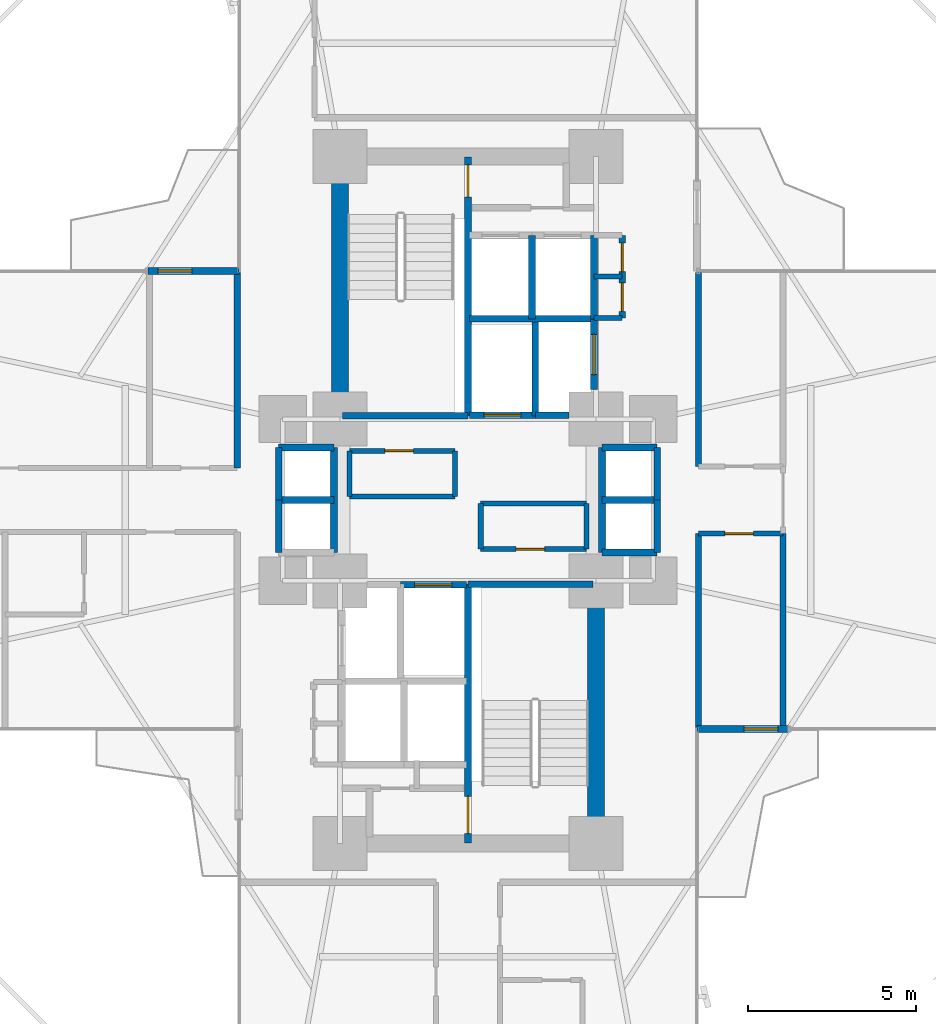
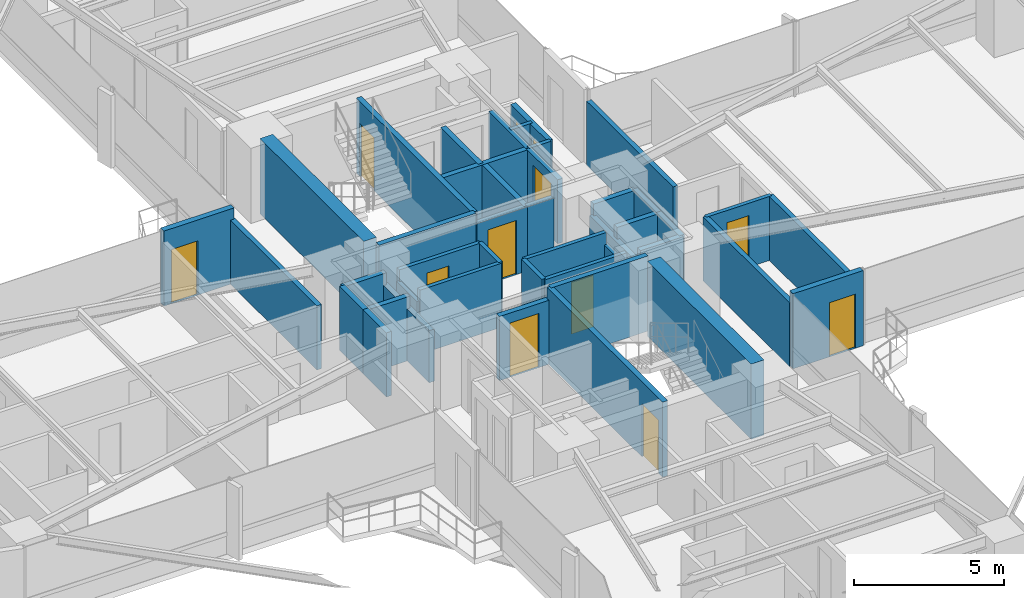
# One storey, part 23 of 26: 43 walls, 12 doors, 12 openings.
"""IFC4 building model written with IfcOpenShell, lengths in metres."""

from ifc_helpers import new_model, si_unit, direction, frame, frame_2d, origin, origin_2d, place, context, subcontext, project, spatial, rectangle, extrude, source, transform, mapped, material, layer, layer_set, type_object, element, fill, save


model = new_model("IFC4")

# Units and contexts
model_context = context("Model", 3, precision=1e-05, world=origin(), true_north=direction((0.0, 1.0)))
body_context = subcontext(model_context, "Body", "Model", "MODEL_VIEW")
ifc_project = project(units=[si_unit("LENGTHUNIT", "METRE"), si_unit("AREAUNIT", "SQUARE_METRE"), si_unit("VOLUMEUNIT", "CUBIC_METRE"), si_unit("PLANEANGLEUNIT", "RADIAN"), si_unit("MASSUNIT", "GRAM", prefix="KILO")], contexts=[model_context])

# Site, building, storey
site_placement = place(None, origin())
site = spatial("IfcSite", under=ifc_project, at=site_placement, CompositionType="ELEMENT")
building_placement = place(site_placement, origin())
building = spatial("IfcBuilding", under=site, at=building_placement, Name="Sahyath Konkavel Grand Hotel", CompositionType="ELEMENT")
storey_placement = place(building_placement, frame((0.0, 0.0, 43.199951171875)))
storey = spatial("IfcBuildingStorey", under=building, at=storey_placement, Name="L11", CompositionType="ELEMENT", Elevation=43.199951171875)

# Walls
ifc_material_1 = material(Name="Concrete C70/85", Category="concrete")
ifc_layer_1 = layer(ifc_material_1, 0.5)
ifc_layer_set_1 = layer_set([ifc_layer_1], Name="Concrete C70/85")
wall_type_1 = type_object("IfcWallType", Name="CWALL-500", PredefinedType="SHEAR", material=ifc_layer_set_1)
for number, where, z_axis, x_axis, name in (
    (1, (-3.800048828125, 2.85009765625, 0.0), (0.0, 0.0, 1.0), (0.0, 1.0, 0.0), "L11 North Core Shear Wall W"),
    (2, (3.800048828125, -9.75, 0.0), (0.0, 0.0, 1.0), (0.0, 1.0, 0.0), "L11 South Core Shear Wall E"),
):
    element("IfcWall", number, at=place(storey_placement, frame(where, z_axis=z_axis, x_axis=x_axis)), inside=storey, type_object=wall_type_1, Name=name, PredefinedType="SHEAR", context=body_context, shape_type="SweptSolid", body=[
        extrude(rectangle(XDim=6.89990234375, YDim=0.5, at=frame_2d((3.449951171875, 0.0))), origin(), (0.0, 0.0, 1.0), 3.050048828125),
    ])

# Wall, opening, door
ifc_material_2 = material(Name="Warm Buff Sandstone Insulated Concrete C40/50", Category="masonry")
ifc_layer_2 = layer(ifc_material_2, 0.219970703125)
ifc_layer_set_2 = layer_set([ifc_layer_2], Name="Warm Buff Sandstone Insulated Concrete C40/50")
wall_type_2 = type_object("IfcWallType", Name="WLL-BALC-THRESH", PredefinedType="STANDARD", material=ifc_layer_set_2)
wall_1_placement = place(storey_placement, frame((6.800048828125, -6.800048828125, 0.0), z_axis=(0.0, 0.0, 1.0), x_axis=(1.0, 0.0, 0.0)))
wall_1 = element("IfcWall", 3, at=wall_1_placement, inside=storey, type_object=wall_type_2, Name="L11 Winter-Garden Threshold Wall 0", PredefinedType="STANDARD", context=body_context, shape_type="SweptSolid", body=[
    extrude(rectangle(XDim=2.699951171875, YDim=0.219970703125, at=frame_2d((1.35009765625, 0.0))), origin(), (0.0, 0.0, 1.0), 3.050048828125),
])
opening_1_placement = place(wall_1_placement, frame((1.39990234375, 0.0, 0.0)))
opening_1 = element("IfcOpeningElement", 4, at=opening_1_placement, cuts=wall_1, Name="Opening D-TR1", PredefinedType="OPENING", context=body_context, shape_type="SweptSolid", body=[
    extrude(rectangle(XDim=1.0, YDim=2.199951171875, at=frame_2d((0.5, 1.10009765625))), frame((0.0, 0.1201171875, 0.0), z_axis=(0.0, -1.0, 0.0), x_axis=(1.0, 0.0, 0.0)), (0.0, 0.0, 1.0), 0.239990234375),
])
ifc_material_3 = material(Name="Anodised Bronze Aluminium & Low-E Glazing", Category="aluminium")
door_type_1 = type_object("IfcDoorType", Name="DR-TERRACE-1000", OperationType="NOTDEFINED", PredefinedType="DOOR", material=ifc_material_3)
shared_shape_1 = source(origin(), body_context, "Body", "SweptSolid", [
    extrude(rectangle(XDim=1.0, YDim=0.050048828125, at=origin_2d()), origin(), (0.0, 0.0, 1.0), 2.199951171875),
])
door_1_placement = place(opening_1_placement, frame((0.5, 0.0, 0.0)))
door_1 = element("IfcDoor", 5, at=door_1_placement, inside=storey, type_object=door_type_1, Name="L11 Winter-Garden Terrace Door 0", OperationType="SINGLE_SWING_LEFT", OverallHeight=2.199951171875, OverallWidth=1.0, PredefinedType="DOOR", context=body_context, shape_type="MappedRepresentation", body=[
    mapped(shared_shape_1, transform((0.0, 0.0, 0.0), scale=1.0)),
])
fill(opening_1, door_1)

wall_2_placement = place(storey_placement, frame((-6.800048828125, 6.800048828125, 0.0), z_axis=(0.0, 0.0, 1.0), x_axis=(-1.0, 0.0, 0.0)))
wall_2 = element("IfcWall", 6, at=wall_2_placement, inside=storey, type_object=wall_type_2, Name="L11 Winter-Garden Threshold Wall 16", PredefinedType="STANDARD", context=body_context, shape_type="SweptSolid", body=[
    extrude(rectangle(XDim=2.699951171875, YDim=0.219970703125, at=frame_2d((1.35009765625, 0.0))), origin(), (0.0, 0.0, 1.0), 3.050048828125),
])
opening_2_placement = place(wall_2_placement, frame((1.39990234375, 0.0, 0.0)))
opening_2 = element("IfcOpeningElement", 7, at=opening_2_placement, cuts=wall_2, Name="Opening D-TR1", PredefinedType="OPENING", context=body_context, shape_type="SweptSolid", body=[
    extrude(rectangle(XDim=1.0, YDim=2.199951171875, at=frame_2d((0.5, 1.10009765625))), frame((0.0, 0.1201171875, 0.0), z_axis=(0.0, -1.0, 0.0), x_axis=(1.0, 0.0, 0.0)), (0.0, 0.0, 1.0), 0.239990234375),
])
door_2_placement = place(opening_2_placement, frame((0.5, 0.0, 0.0)))
door_2 = element("IfcDoor", 8, at=door_2_placement, inside=storey, type_object=door_type_1, Name="L11 Winter-Garden Terrace Door 16", OperationType="SINGLE_SWING_LEFT", OverallHeight=2.199951171875, OverallWidth=1.0, PredefinedType="DOOR", context=body_context, shape_type="MappedRepresentation", body=[
    mapped(shared_shape_1, transform((0.0, 0.0, 0.0), scale=1.0)),
])
fill(opening_2, door_2)

ifc_material_4 = material(Name="Concrete C40/50", Category="concrete")
ifc_layer_3 = layer(ifc_material_4, 0.199951171875)
ifc_layer_set_3 = layer_set([ifc_layer_3], Name="Concrete C40/50")
wall_type_3 = type_object("IfcWallType", Name="WLL-CORE-200", PredefinedType="SOLIDWALL", material=ifc_layer_set_3)
wall_3_placement = place(storey_placement, frame((0.0, 2.5, 0.0), z_axis=(0.0, 0.0, 1.0), x_axis=(0.0, 1.0, 0.0)))
wall_3 = element("IfcWall", 9, at=wall_3_placement, inside=storey, type_object=wall_type_3, Name="L11 Stair ST-1 Shaft Wall E", PredefinedType="SOLIDWALL", context=body_context, shape_type="SweptSolid", body=[
    extrude(rectangle(XDim=7.679931640625, YDim=0.199951171875, at=frame_2d((3.83984375, 0.0))), origin(), (0.0, 0.0, 1.0), 3.050048828125),
])
opening_3_placement = place(wall_3_placement, frame((6.5, 0.0, 0.0)))
opening_3 = element("IfcOpeningElement", 10, at=opening_3_placement, cuts=wall_3, Name="Opening D-F12C", PredefinedType="OPENING", context=body_context, shape_type="SweptSolid", body=[
    extrude(rectangle(XDim=0.949951171875, YDim=2.14990234375, at=frame_2d((0.47509765625, 1.074951171875))), frame((0.0, 0.10986328125, 0.0), z_axis=(0.0, -1.0, 0.0), x_axis=(1.0, 0.0, 0.0)), (0.0, 0.0, 1.0), 0.219970703125),
])
ifc_material_5 = material(Name="Steel E350 Plant Fire Door", Category="steel")
door_type_2 = type_object("IfcDoorType", Name="DR-FD120-950", OperationType="NOTDEFINED", PredefinedType="DOOR", material=ifc_material_5)
shared_shape_2 = source(origin(), body_context, "Body", "SweptSolid", [
    extrude(rectangle(XDim=0.949951171875, YDim=0.050048828125, at=origin_2d()), origin(), (0.0, 0.0, 1.0), 2.14990234375),
])
door_3_placement = place(opening_3_placement, frame((0.47509765625, 0.0, 0.0)))
door_3 = element("IfcDoor", 11, at=door_3_placement, inside=storey, type_object=door_type_2, Name="L11 Stair ST-1 Fire Door", OperationType="SINGLE_SWING_LEFT", OverallHeight=2.14990234375, OverallWidth=0.949951171875, PredefinedType="DOOR", context=body_context, shape_type="MappedRepresentation", body=[
    mapped(shared_shape_2, transform((0.0, 0.0, 0.0), scale=1.0)),
])
fill(opening_3, door_3)

# Wall
wall_4_placement = place(storey_placement, frame((-3.719970703125, 2.5, 0.0), z_axis=(0.0, 0.0, 1.0), x_axis=(1.0, 0.0, 0.0)))
element("IfcWall", 12, at=wall_4_placement, inside=storey, type_object=wall_type_3, Name="L11 Stair ST-1 Shaft Wall S", PredefinedType="SOLIDWALL", context=body_context, shape_type="SweptSolid", body=[
    extrude(rectangle(XDim=3.719970703125, YDim=0.199951171875, at=frame_2d((1.85986328125, 0.0))), origin(), (0.0, 0.0, 1.0), 3.050048828125),
])

# Wall, opening, door
wall_5_placement = place(storey_placement, frame((0.0, -10.179931640625, 0.0), z_axis=(0.0, 0.0, 1.0), x_axis=(0.0, 1.0, 0.0)))
wall_5 = element("IfcWall", 13, at=wall_5_placement, inside=storey, type_object=wall_type_3, Name="L11 Stair ST-2 Shaft Wall W", PredefinedType="SOLIDWALL", context=body_context, shape_type="SweptSolid", body=[
    extrude(rectangle(XDim=7.679931640625, YDim=0.199951171875, at=frame_2d((3.83984375, 0.0))), origin(), (0.0, 0.0, 1.0), 3.050048828125),
])
opening_4_placement = place(wall_5_placement, frame((0.280029296875, 0.0, 0.0)))
opening_4 = element("IfcOpeningElement", 14, at=opening_4_placement, cuts=wall_5, Name="Opening D-F12B", PredefinedType="OPENING", context=body_context, shape_type="SweptSolid", body=[
    extrude(rectangle(XDim=1.10009765625, YDim=2.14990234375, at=frame_2d((0.550048828125, 1.074951171875))), frame((0.0, 0.10986328125, 0.0), z_axis=(0.0, -1.0, 0.0), x_axis=(1.0, 0.0, 0.0)), (0.0, 0.0, 1.0), 0.219970703125),
])
ifc_material_6 = material(Name="Steel E350 Smokeproof Fire Door", Category="steel")
door_type_3 = type_object("IfcDoorType", Name="DR-FD120-1100", OperationType="NOTDEFINED", PredefinedType="DOOR", material=ifc_material_6)
shared_shape_3 = source(origin(), body_context, "Body", "SweptSolid", [
    extrude(rectangle(XDim=1.10009765625, YDim=0.050048828125, at=origin_2d()), origin(), (0.0, 0.0, 1.0), 2.14990234375),
])
door_4_placement = place(opening_4_placement, frame((0.550048828125, 0.0, 0.0)))
door_4 = element("IfcDoor", 15, at=door_4_placement, inside=storey, type_object=door_type_3, Name="L11 Stair ST-2 Fire Door", OperationType="SINGLE_SWING_LEFT", OverallHeight=2.14990234375, OverallWidth=1.10009765625, PredefinedType="DOOR", context=body_context, shape_type="MappedRepresentation", body=[
    mapped(shared_shape_3, transform((0.0, 0.0, 0.0), scale=1.0)),
])
fill(opening_4, door_4)

# Walls
wall_6_placement = place(storey_placement, frame((0.0, -2.5, 0.0), z_axis=(0.0, 0.0, 1.0), x_axis=(1.0, 0.0, 0.0)))
element("IfcWall", 16, at=wall_6_placement, inside=storey, type_object=wall_type_3, Name="L11 Stair ST-2 Shaft Wall N", PredefinedType="SOLIDWALL", context=body_context, shape_type="SweptSolid", body=[
    extrude(rectangle(XDim=3.719970703125, YDim=0.199951171875, at=frame_2d((1.85986328125, 0.0))), origin(), (0.0, 0.0, 1.0), 3.050048828125),
])
wall_7_placement = place(storey_placement, frame((2.0, 2.5, 0.0), z_axis=(0.0, 0.0, 1.0), x_axis=(0.0, 1.0, 0.0)))
element("IfcWall", 17, at=wall_7_placement, inside=storey, type_object=wall_type_3, Name="L11 Partition SH-FFL1-E", PredefinedType="SOLIDWALL", context=body_context, shape_type="SweptSolid", body=[
    extrude(rectangle(XDim=2.780029296875, YDim=0.199951171875, at=frame_2d((1.39013671875, 0.0))), origin(), (0.0, 0.0, 1.0), 2.60009765625),
])

# Wall, opening, door
wall_8_placement = place(storey_placement, frame((0.050048828125, 2.52001953125, 0.0), z_axis=(0.0, 0.0, 1.0), x_axis=(1.0, 0.0, 0.0)))
wall_8 = element("IfcWall", 18, at=wall_8_placement, inside=storey, type_object=wall_type_3, Name="L11 Partition SH-FFL1-S", PredefinedType="SOLIDWALL", context=body_context, shape_type="SweptSolid", body=[
    extrude(rectangle(XDim=1.949951171875, YDim=0.199951171875, at=frame_2d((0.97509765625, 0.0))), origin(), (0.0, 0.0, 1.0), 2.60009765625),
])
opening_5_placement = place(wall_8_placement, frame((0.419921875, 0.0, 0.0)))
opening_5 = element("IfcOpeningElement", 19, at=opening_5_placement, cuts=wall_8, Name="Opening LD-11", PredefinedType="OPENING", context=body_context, shape_type="SweptSolid", body=[
    extrude(rectangle(XDim=1.10009765625, YDim=2.199951171875, at=frame_2d((0.550048828125, 1.10009765625))), frame((0.0, 0.10986328125, 0.0), z_axis=(0.0, -1.0, 0.0), x_axis=(1.0, 0.0, 0.0)), (0.0, 0.0, 1.0), 0.219970703125),
])
ifc_material_7 = material(Name="Bronze Lift Landing Door 1100")
door_type_4 = type_object("IfcDoorType", Name="DR-LIFT-1100", OperationType="DOUBLE_DOOR_SLIDING", PredefinedType="DOOR", material=ifc_material_7)
shared_shape_4 = source(origin(), body_context, "Body", "SweptSolid", [
    extrude(rectangle(XDim=1.10009765625, YDim=0.050048828125, at=origin_2d()), origin(), (0.0, 0.0, 1.0), 2.199951171875),
])
door_5_placement = place(opening_5_placement, frame((0.550048828125, 0.0, 0.0)))
door_5 = element("IfcDoor", 20, at=door_5_placement, inside=storey, type_object=door_type_4, Name="L11 Lift FFL-1 Landing Door", OperationType="DOUBLE_DOOR_SLIDING", OverallHeight=2.199951171875, OverallWidth=1.10009765625, PredefinedType="DOOR", context=body_context, shape_type="MappedRepresentation", body=[
    mapped(shared_shape_4, transform((0.0, 0.0, 0.0), scale=1.0)),
])
fill(opening_5, door_5)

wall_9_placement = place(storey_placement, frame((-2.0, -2.52001953125, 0.0), z_axis=(0.0, 0.0, 1.0), x_axis=(1.0, 0.0, 0.0)))
wall_9 = element("IfcWall", 21, at=wall_9_placement, inside=storey, type_object=wall_type_3, Name="L11 Partition SH-FFL2-N", PredefinedType="SOLIDWALL", context=body_context, shape_type="SweptSolid", body=[
    extrude(rectangle(XDim=1.949951171875, YDim=0.199951171875, at=frame_2d((0.97509765625, 0.0))), origin(), (0.0, 0.0, 1.0), 2.60009765625),
])
opening_6_placement = place(wall_9_placement, frame((0.419921875, 0.0, 0.0)))
opening_6 = element("IfcOpeningElement", 22, at=opening_6_placement, cuts=wall_9, Name="Opening LD-11", PredefinedType="OPENING", context=body_context, shape_type="SweptSolid", body=[
    extrude(rectangle(XDim=1.10009765625, YDim=2.199951171875, at=frame_2d((0.550048828125, 1.10009765625))), frame((0.0, 0.10986328125, 0.0), z_axis=(0.0, -1.0, 0.0), x_axis=(1.0, 0.0, 0.0)), (0.0, 0.0, 1.0), 0.219970703125),
])
door_6_placement = place(opening_6_placement, frame((0.550048828125, 0.0, 0.0)))
door_6 = element("IfcDoor", 23, at=door_6_placement, inside=storey, type_object=door_type_4, Name="L11 Lift FFL-2 Landing Door", OperationType="DOUBLE_DOOR_SLIDING", OverallHeight=2.199951171875, OverallWidth=1.10009765625, PredefinedType="DOOR", context=body_context, shape_type="MappedRepresentation", body=[
    mapped(shared_shape_4, transform((0.0, 0.0, 0.0), scale=1.0)),
])
fill(opening_6, door_6)

# Wall
wall_10_placement = place(storey_placement, frame((2.0, 2.52001953125, 0.0), z_axis=(0.0, 0.0, 1.0), x_axis=(1.0, 0.0, 0.0)))
element("IfcWall", 24, at=wall_10_placement, inside=storey, type_object=wall_type_3, Name="L11 Partition SH-SVL1-S", PredefinedType="SOLIDWALL", context=body_context, shape_type="SweptSolid", body=[
    extrude(rectangle(XDim=1.0, YDim=0.199951171875, at=frame_2d((0.5, 0.0))), origin(), (0.0, 0.0, 1.0), 2.60009765625),
])

# Wall, opening, door
wall_11_placement = place(storey_placement, frame((3.739990234375, 3.280029296875, 0.0), z_axis=(0.0, 0.0, 1.0), x_axis=(0.0, 1.0, 0.0)))
wall_11 = element("IfcWall", 25, at=wall_11_placement, inside=storey, type_object=wall_type_3, Name="L11 Partition SH-SVL1-E", PredefinedType="SOLIDWALL", context=body_context, shape_type="SweptSolid", body=[
    extrude(rectangle(XDim=2.080078125, YDim=0.199951171875, at=frame_2d((1.0400390625, 0.0))), origin(), (0.0, 0.0, 1.0), 2.60009765625),
])
opening_7_placement = place(wall_11_placement, frame((0.43994140625, 0.0, 0.0)))
opening_7 = element("IfcOpeningElement", 26, at=opening_7_placement, cuts=wall_11, Name="Opening LD-12", PredefinedType="OPENING", context=body_context, shape_type="SweptSolid", body=[
    extrude(rectangle(XDim=1.199951171875, YDim=2.199951171875, at=frame_2d((0.60009765625, 1.10009765625))), frame((0.0, 0.10986328125, 0.0), z_axis=(0.0, -1.0, 0.0), x_axis=(1.0, 0.0, 0.0)), (0.0, 0.0, 1.0), 0.219970703125),
])
ifc_material_8 = material(Name="Stainless Steel Lift Landing Door 1200", Category="steel")
door_type_5 = type_object("IfcDoorType", Name="DR-LIFT-1200", OperationType="DOUBLE_DOOR_SLIDING", PredefinedType="DOOR", material=ifc_material_8)
shared_shape_5 = source(origin(), body_context, "Body", "SweptSolid", [
    extrude(rectangle(XDim=1.199951171875, YDim=0.050048828125, at=origin_2d()), origin(), (0.0, 0.0, 1.0), 2.199951171875),
])
door_7_placement = place(opening_7_placement, frame((0.60009765625, 0.0, 0.0)))
door_7 = element("IfcDoor", 27, at=door_7_placement, inside=storey, type_object=door_type_5, Name="L11 Service Lift SVL-1 Landing Door", OperationType="DOUBLE_DOOR_SLIDING", OverallHeight=2.199951171875, OverallWidth=1.199951171875, PredefinedType="DOOR", context=body_context, shape_type="MappedRepresentation", body=[
    mapped(shared_shape_5, transform((0.0, 0.0, 0.0), scale=1.0)),
])
fill(opening_7, door_7)

# Walls
wall_12_placement = place(storey_placement, frame((0.050048828125, 5.3798828125, 0.0), z_axis=(0.0, 0.0, 1.0), x_axis=(1.0, 0.0, 0.0)))
element("IfcWall", 28, at=wall_12_placement, inside=storey, type_object=wall_type_3, Name="L11 Partition SH-PL12-S", PredefinedType="SOLIDWALL", context=body_context, shape_type="SweptSolid", body=[
    extrude(rectangle(XDim=3.68994140625, YDim=0.199951171875, at=frame_2d((1.844970703125, 0.0))), origin(), (0.0, 0.0, 1.0), 2.60009765625),
])
for number, where, z_axis, x_axis, name in (
    (29, (1.89990234375, 5.3798828125, 0.0), (0.0, 0.0, 1.0), (0.0, 1.0, 0.0), "L11 Partition SH-PL12-M"),
    (30, (3.739990234375, 5.3798828125, 0.0), (0.0, 0.0, 1.0), (0.0, 1.0, 0.0), "L11 Partition SH-PL2-E"),
):
    element("IfcWall", number, at=place(storey_placement, frame(where, z_axis=z_axis, x_axis=x_axis)), inside=storey, type_object=wall_type_3, Name=name, PredefinedType="SOLIDWALL", context=body_context, shape_type="SweptSolid", body=[
        extrude(rectangle(XDim=2.480224609375, YDim=0.199951171875, at=frame_2d((1.240234375, 0.0))), origin(), (0.0, 0.0, 1.0), 2.60009765625),
    ])
wall_13_placement = place(storey_placement, frame((3.97998046875, -1.56005859375, 0.0), z_axis=(0.0, 0.0, 1.0), x_axis=(0.0, 1.0, 0.0)))
element("IfcWall", 31, at=wall_13_placement, inside=storey, type_object=wall_type_3, Name="L11 Partition SH-PL56-W", PredefinedType="SOLIDWALL", context=body_context, shape_type="SweptSolid", body=[
    extrude(rectangle(XDim=3.1201171875, YDim=0.199951171875, at=frame_2d((1.56005859375, 0.0))), origin(), (0.0, 0.0, 1.0), 2.1201171875),
])
for number, where, z_axis, x_axis, name in (
    (32, (3.97998046875, 1.56005859375, 0.0), (0.0, 0.0, 1.0), (1.0, 0.0, 0.0), "L11 Partition SH-PL56-N"),
    (33, (3.97998046875, -1.56005859375, 0.0), (0.0, 0.0, 1.0), (1.0, 0.0, 0.0), "L11 Partition SH-PL56-S"),
    (34, (3.97998046875, 0.0, 0.0), (0.0, 0.0, 1.0), (1.0, 0.0, 0.0), "L11 Partition SH-PL56-M"),
):
    element("IfcWall", number, at=place(storey_placement, frame(where, z_axis=z_axis, x_axis=x_axis)), inside=storey, type_object=wall_type_3, Name=name, PredefinedType="SOLIDWALL", context=body_context, shape_type="SweptSolid", body=[
        extrude(rectangle(XDim=1.64013671875, YDim=0.199951171875, at=frame_2d((0.820068359375, 0.0))), origin(), (0.0, 0.0, 1.0), 2.60009765625),
    ])
for number, where, z_axis, x_axis, name in (
    (35, (5.6201171875, 0.0, 0.0), (0.0, 0.0, 1.0), (0.0, 1.0, 0.0), "L11 Partition SH-PL5-E"),
    (36, (5.6201171875, -1.56005859375, 0.0), (0.0, 0.0, 1.0), (0.0, 1.0, 0.0), "L11 Partition SH-PL6-E"),
):
    element("IfcWall", number, at=place(storey_placement, frame(where, z_axis=z_axis, x_axis=x_axis)), inside=storey, type_object=wall_type_3, Name=name, PredefinedType="SOLIDWALL", context=body_context, shape_type="SweptSolid", body=[
        extrude(rectangle(XDim=1.56005859375, YDim=0.199951171875, at=frame_2d((0.780029296875, 0.0))), origin(), (0.0, 0.0, 1.0), 2.60009765625),
    ])
wall_14_placement = place(storey_placement, frame((-3.97998046875, -1.56005859375, 0.0), z_axis=(0.0, 0.0, 1.0), x_axis=(0.0, 1.0, 0.0)))
element("IfcWall", 37, at=wall_14_placement, inside=storey, type_object=wall_type_3, Name="L11 Partition SH-SL12-E", PredefinedType="SOLIDWALL", context=body_context, shape_type="SweptSolid", body=[
    extrude(rectangle(XDim=3.1201171875, YDim=0.199951171875, at=frame_2d((1.56005859375, 0.0))), origin(), (0.0, 0.0, 1.0), 2.1201171875),
])
for number, where, z_axis, x_axis, name in (
    (38, (-5.6201171875, 1.56005859375, 0.0), (0.0, 0.0, 1.0), (1.0, 0.0, 0.0), "L11 Partition SH-SL12-N"),
    (39, (-5.6201171875, 0.0, 0.0), (0.0, 0.0, 1.0), (1.0, 0.0, 0.0), "L11 Partition SH-SL12-M"),
):
    element("IfcWall", number, at=place(storey_placement, frame(where, z_axis=z_axis, x_axis=x_axis)), inside=storey, type_object=wall_type_3, Name=name, PredefinedType="SOLIDWALL", context=body_context, shape_type="SweptSolid", body=[
        extrude(rectangle(XDim=1.64013671875, YDim=0.199951171875, at=frame_2d((0.820068359375, 0.0))), origin(), (0.0, 0.0, 1.0), 2.60009765625),
    ])
for number, where, z_axis, x_axis, name in (
    (40, (-5.6201171875, 0.0, 0.0), (0.0, 0.0, 1.0), (0.0, 1.0, 0.0), "L11 Partition SH-SL1-W"),
    (41, (-5.6201171875, -1.56005859375, 0.0), (0.0, 0.0, 1.0), (0.0, 1.0, 0.0), "L11 Partition SH-SL2-W"),
):
    element("IfcWall", number, at=place(storey_placement, frame(where, z_axis=z_axis, x_axis=x_axis)), inside=storey, type_object=wall_type_3, Name=name, PredefinedType="SOLIDWALL", context=body_context, shape_type="SweptSolid", body=[
        extrude(rectangle(XDim=1.56005859375, YDim=0.199951171875, at=frame_2d((0.780029296875, 0.0))), origin(), (0.0, 0.0, 1.0), 2.60009765625),
    ])

# Wall, openings, doors
wall_15_placement = place(storey_placement, frame((4.580078125, 5.39990234375, 0.0), z_axis=(0.0, 0.0, 1.0), x_axis=(0.0, 1.0, 0.0)))
wall_15 = element("IfcWall", 42, at=wall_15_placement, inside=storey, type_object=wall_type_3, Name="L11 Partition NC-FLK-E", PredefinedType="SOLIDWALL", context=body_context, shape_type="SweptSolid", body=[
    extrude(rectangle(XDim=2.460205078125, YDim=0.199951171875, at=frame_2d((1.22998046875, 0.0))), origin(), (0.0, 0.0, 1.0), 2.60009765625),
])
opening_8_placement = place(wall_15_placement, frame((0.199951171875, 0.0, 0.0)))
opening_8 = element("IfcOpeningElement", 43, at=opening_8_placement, cuts=wall_15, Name="Opening D-F06D", PredefinedType="OPENING", context=body_context, shape_type="SweptSolid", body=[
    extrude(rectangle(XDim=0.85009765625, YDim=2.10009765625, at=frame_2d((0.425048828125, 1.050048828125))), frame((0.0, 0.10986328125, 0.0), z_axis=(0.0, -1.0, 0.0), x_axis=(1.0, 0.0, 0.0)), (0.0, 0.0, 1.0), 0.219970703125),
])
opening_9_placement = place(wall_15_placement, frame((1.3798828125, 0.0, 0.0)))
opening_9 = element("IfcOpeningElement", 44, at=opening_9_placement, cuts=wall_15, Name="Opening D-F06D", PredefinedType="OPENING", context=body_context, shape_type="SweptSolid", body=[
    extrude(rectangle(XDim=0.85009765625, YDim=2.10009765625, at=frame_2d((0.425048828125, 1.050048828125))), frame((0.0, 0.10986328125, 0.0), z_axis=(0.0, -1.0, 0.0), x_axis=(1.0, 0.0, 0.0)), (0.0, 0.0, 1.0), 0.219970703125),
])
ifc_material_9 = material(Name="Fire-Rated Shaft Access Door")
door_type_6 = type_object("IfcDoorType", Name="DR-FD60-850", OperationType="NOTDEFINED", PredefinedType="DOOR", material=ifc_material_9)
shared_shape_6 = source(origin(), body_context, "Body", "SweptSolid", [
    extrude(rectangle(XDim=0.85009765625, YDim=0.050048828125, at=origin_2d()), origin(), (0.0, 0.0, 1.0), 2.10009765625),
])
door_8_placement = place(opening_8_placement, frame((0.425048828125, 0.0, 0.0)))
door_8 = element("IfcDoor", 45, at=door_8_placement, inside=storey, type_object=door_type_6, Name="L11 Door NC-FLK1-D", OperationType="SINGLE_SWING_RIGHT", OverallHeight=2.10009765625, OverallWidth=0.85009765625, PredefinedType="DOOR", context=body_context, shape_type="MappedRepresentation", body=[
    mapped(shared_shape_6, transform((0.0, 0.0, 0.0), scale=1.0)),
])
fill(opening_8, door_8)
door_9_placement = place(opening_9_placement, frame((0.425048828125, 0.0, 0.0)))
door_9 = element("IfcDoor", 46, at=door_9_placement, inside=storey, type_object=door_type_6, Name="L11 Door NC-FLK2-D", OperationType="SINGLE_SWING_LEFT", OverallHeight=2.10009765625, OverallWidth=0.85009765625, PredefinedType="DOOR", context=body_context, shape_type="MappedRepresentation", body=[
    mapped(shared_shape_6, transform((0.0, 0.0, 0.0), scale=1.0)),
])
fill(opening_9, door_9)

# Walls
ifc_material_10 = material(Name="Twin-Stud Acoustic Gypsum Plasterboard Partition")
ifc_layer_4 = layer(ifc_material_10, 0.179931640625)
ifc_layer_set_4 = layer_set([ifc_layer_4], Name="Twin-Stud Acoustic Gypsum Plasterboard Partition")
wall_type_4 = type_object("IfcWallType", Name="WLL-DEMISE-180", PredefinedType="PARTITIONING", material=ifc_layer_set_4)
for number, where, z_axis, x_axis, name in (
    (47, (6.85009765625, 1.0, 0.0), (0.0, 0.0, 1.0), (0.0, 1.0, 0.0), "L11 Partition E-I0L"),
    (48, (6.85009765625, -6.75, 0.0), (0.0, 0.0, 1.0), (0.0, 1.0, 0.0), "L11 Partition E-I0R"),
    (49, (9.35009765625, -1.0, 0.0), (0.0, 0.0, 1.0), (0.0, -1.0, 0.0), "L11 Partition E-EHK0-DEM"),
):
    element("IfcWall", number, at=place(storey_placement, frame(where, z_axis=z_axis, x_axis=x_axis)), inside=storey, type_object=wall_type_4, Name=name, PredefinedType="PARTITIONING", context=body_context, shape_type="SweptSolid", body=[
        extrude(rectangle(XDim=5.75, YDim=0.179931640625, at=frame_2d((2.875, 0.0))), origin(), (0.0, 0.0, 1.0), 2.60009765625),
    ])
wall_16_placement = place(storey_placement, frame((-6.85009765625, 6.75, 0.0), z_axis=(0.0, 0.0, 1.0), x_axis=(0.0, -1.0, 0.0)))
element("IfcWall", 50, at=wall_16_placement, inside=storey, type_object=wall_type_4, Name="L11 Partition W-INR", PredefinedType="PARTITIONING", context=body_context, shape_type="SweptSolid", body=[
    extrude(rectangle(XDim=5.800048828125, YDim=0.179931640625, at=frame_2d((2.89990234375, 0.0))), origin(), (0.0, 0.0, 1.0), 2.60009765625),
])
ifc_material_11 = material(Name="Fire-Rated Gypsum Plasterboard Partition")
ifc_layer_5 = layer(ifc_material_11, 0.14990234375)
ifc_layer_set_5 = layer_set([ifc_layer_5], Name="Fire-Rated Gypsum Plasterboard Partition")
wall_type_5 = type_object("IfcWallType", Name="WLL-PART-150", PredefinedType="PARTITIONING", material=ifc_layer_set_5)
for number, where, z_axis, x_axis, name in (
    (51, (3.739990234375, 5.39990234375, 0.0), (0.0, 0.0, 1.0), (1.0, 0.0, 0.0), "L11 Partition NC-FLK-S"),
    (52, (3.739990234375, 6.6298828125, 0.0), (0.0, 0.0, 1.0), (1.0, 0.0, 0.0), "L11 Partition NC-FLK-M"),
):
    element("IfcWall", number, at=place(storey_placement, frame(where, z_axis=z_axis, x_axis=x_axis)), inside=storey, type_object=wall_type_5, Name=name, PredefinedType="PARTITIONING", context=body_context, shape_type="SweptSolid", body=[
        extrude(rectangle(XDim=0.840087890625, YDim=0.14990234375, at=frame_2d((0.419921875, 0.0))), origin(), (0.0, 0.0, 1.0), 2.60009765625),
    ])
wall_17_placement = place(storey_placement, frame((-3.52001953125, 0.10009765625, 0.0), z_axis=(0.0, 0.0, 1.0), x_axis=(1.0, 0.0, 0.0)))
element("IfcWall", 53, at=wall_17_placement, inside=storey, type_object=wall_type_5, Name="L11 Partition CC-3NWS", PredefinedType="PARTITIONING", context=body_context, shape_type="SweptSolid", body=[
    extrude(rectangle(XDim=3.14013671875, YDim=0.14990234375, at=frame_2d((1.570068359375, 0.0))), origin(), (0.0, 0.0, 1.0), 2.60009765625),
])

# Wall, opening, door
wall_18_placement = place(storey_placement, frame((-3.52001953125, 1.4599609375, 0.0), z_axis=(0.0, 0.0, 1.0), x_axis=(1.0, 0.0, 0.0)))
wall_18 = element("IfcWall", 54, at=wall_18_placement, inside=storey, type_object=wall_type_5, Name="L11 Partition CC-3NWN", PredefinedType="PARTITIONING", context=body_context, shape_type="SweptSolid", body=[
    extrude(rectangle(XDim=3.14013671875, YDim=0.14990234375, at=frame_2d((1.570068359375, 0.0))), origin(), (0.0, 0.0, 1.0), 2.60009765625),
])
opening_10_placement = place(wall_18_placement, frame((1.050048828125, 0.0, 0.0)))
opening_10 = element("IfcOpeningElement", 55, at=opening_10_placement, cuts=wall_18, Name="Opening D-F06D", PredefinedType="OPENING", context=body_context, shape_type="SweptSolid", body=[
    extrude(rectangle(XDim=0.85009765625, YDim=2.10009765625, at=frame_2d((0.425048828125, 1.050048828125))), frame((0.0, 0.0849609375, 0.0), z_axis=(0.0, -1.0, 0.0), x_axis=(1.0, 0.0, 0.0)), (0.0, 0.0, 1.0), 0.169921875),
])
door_10_placement = place(opening_10_placement, frame((0.425048828125, 0.0, 0.0)))
door_10 = element("IfcDoor", 56, at=door_10_placement, inside=storey, type_object=door_type_6, Name="L11 Door CC-D3NW", OperationType="SINGLE_SWING_RIGHT", OverallHeight=2.10009765625, OverallWidth=0.85009765625, PredefinedType="DOOR", context=body_context, shape_type="MappedRepresentation", body=[
    mapped(shared_shape_6, transform((0.0, 0.0, 0.0), scale=1.0)),
])
fill(opening_10, door_10)

# Walls
wall_19_placement = place(storey_placement, frame((-3.52001953125, 0.10009765625, 0.0), z_axis=(0.0, 0.0, 1.0), x_axis=(0.0, 1.0, 0.0)))
element("IfcWall", 57, at=wall_19_placement, inside=storey, type_object=wall_type_5, Name="L11 Partition CC-3NWW", PredefinedType="PARTITIONING", context=body_context, shape_type="SweptSolid", body=[
    extrude(rectangle(XDim=1.35986328125, YDim=0.14990234375, at=frame_2d((0.679931640625, 0.0))), origin(), (0.0, 0.0, 1.0), 2.1201171875),
])
wall_20_placement = place(storey_placement, frame((-0.3798828125, 0.10009765625, 0.0), z_axis=(0.0, 0.0, 1.0), x_axis=(0.0, 1.0, 0.0)))
element("IfcWall", 58, at=wall_20_placement, inside=storey, type_object=wall_type_5, Name="L11 Partition CC-3NWE", PredefinedType="PARTITIONING", context=body_context, shape_type="SweptSolid", body=[
    extrude(rectangle(XDim=1.35986328125, YDim=0.14990234375, at=frame_2d((0.679931640625, 0.0))), origin(), (0.0, 0.0, 1.0), 2.60009765625),
])
wall_21_placement = place(storey_placement, frame((0.3798828125, -0.10009765625, 0.0), z_axis=(0.0, 0.0, 1.0), x_axis=(1.0, 0.0, 0.0)))
element("IfcWall", 59, at=wall_21_placement, inside=storey, type_object=wall_type_5, Name="L11 Partition CC-3SEN", PredefinedType="PARTITIONING", context=body_context, shape_type="SweptSolid", body=[
    extrude(rectangle(XDim=3.14013671875, YDim=0.14990234375, at=frame_2d((1.570068359375, 0.0))), origin(), (0.0, 0.0, 1.0), 2.60009765625),
])

# Wall, opening, door
wall_22_placement = place(storey_placement, frame((0.3798828125, -1.4599609375, 0.0), z_axis=(0.0, 0.0, 1.0), x_axis=(1.0, 0.0, 0.0)))
wall_22 = element("IfcWall", 60, at=wall_22_placement, inside=storey, type_object=wall_type_5, Name="L11 Partition CC-3SES", PredefinedType="PARTITIONING", context=body_context, shape_type="SweptSolid", body=[
    extrude(rectangle(XDim=3.14013671875, YDim=0.14990234375, at=frame_2d((1.570068359375, 0.0))), origin(), (0.0, 0.0, 1.0), 2.60009765625),
])
opening_11_placement = place(wall_22_placement, frame((1.050048828125, 0.0, 0.0)))
opening_11 = element("IfcOpeningElement", 61, at=opening_11_placement, cuts=wall_22, Name="Opening D-F06D", PredefinedType="OPENING", context=body_context, shape_type="SweptSolid", body=[
    extrude(rectangle(XDim=0.85009765625, YDim=2.10009765625, at=frame_2d((0.425048828125, 1.050048828125))), frame((0.0, 0.0849609375, 0.0), z_axis=(0.0, -1.0, 0.0), x_axis=(1.0, 0.0, 0.0)), (0.0, 0.0, 1.0), 0.169921875),
])
door_11_placement = place(opening_11_placement, frame((0.425048828125, 0.0, 0.0)))
door_11 = element("IfcDoor", 62, at=door_11_placement, inside=storey, type_object=door_type_6, Name="L11 Door CC-D3SE", OperationType="SINGLE_SWING_LEFT", OverallHeight=2.10009765625, OverallWidth=0.85009765625, PredefinedType="DOOR", context=body_context, shape_type="MappedRepresentation", body=[
    mapped(shared_shape_6, transform((0.0, 0.0, 0.0), scale=1.0)),
])
fill(opening_11, door_11)

# Walls
wall_23_placement = place(storey_placement, frame((0.3798828125, -1.4599609375, 0.0), z_axis=(0.0, 0.0, 1.0), x_axis=(0.0, 1.0, 0.0)))
element("IfcWall", 63, at=wall_23_placement, inside=storey, type_object=wall_type_5, Name="L11 Partition CC-3SEW", PredefinedType="PARTITIONING", context=body_context, shape_type="SweptSolid", body=[
    extrude(rectangle(XDim=1.35986328125, YDim=0.14990234375, at=frame_2d((0.679931640625, 0.0))), origin(), (0.0, 0.0, 1.0), 2.60009765625),
])
wall_24_placement = place(storey_placement, frame((3.52001953125, -1.4599609375, 0.0), z_axis=(0.0, 0.0, 1.0), x_axis=(0.0, 1.0, 0.0)))
element("IfcWall", 64, at=wall_24_placement, inside=storey, type_object=wall_type_5, Name="L11 Partition CC-3SEE", PredefinedType="PARTITIONING", context=body_context, shape_type="SweptSolid", body=[
    extrude(rectangle(XDim=1.35986328125, YDim=0.14990234375, at=frame_2d((0.679931640625, 0.0))), origin(), (0.0, 0.0, 1.0), 2.1201171875),
])

# Wall, opening, door
wall_25_placement = place(storey_placement, frame((6.85009765625, -1.0, 0.0), z_axis=(0.0, 0.0, 1.0), x_axis=(1.0, 0.0, 0.0)))
wall_25 = element("IfcWall", 65, at=wall_25_placement, inside=storey, type_object=wall_type_5, Name="L11 Partition E-C0R", PredefinedType="PARTITIONING", context=body_context, shape_type="SweptSolid", body=[
    extrude(rectangle(XDim=2.5, YDim=0.14990234375, at=frame_2d((1.25, 0.0))), origin(), (0.0, 0.0, 1.0), 2.60009765625),
])
opening_12_placement = place(wall_25_placement, frame((0.77490234375, 0.0, 0.0)))
opening_12 = element("IfcOpeningElement", 66, at=opening_12_placement, cuts=wall_25, Name="Opening D-F06D", PredefinedType="OPENING", context=body_context, shape_type="SweptSolid", body=[
    extrude(rectangle(XDim=0.85009765625, YDim=2.10009765625, at=frame_2d((0.425048828125, 1.050048828125))), frame((0.0, 0.0849609375, 0.0), z_axis=(0.0, -1.0, 0.0), x_axis=(1.0, 0.0, 0.0)), (0.0, 0.0, 1.0), 0.169921875),
])
door_12_placement = place(opening_12_placement, frame((0.425048828125, 0.0, 0.0)))
door_12 = element("IfcDoor", 67, at=door_12_placement, inside=storey, type_object=door_type_6, Name="L11 Door E-EHK0-D", OperationType="SINGLE_SWING_RIGHT", OverallHeight=2.10009765625, OverallWidth=0.85009765625, PredefinedType="DOOR", context=body_context, shape_type="MappedRepresentation", body=[
    mapped(shared_shape_6, transform((0.0, 0.0, 0.0), scale=1.0)),
])
fill(opening_12, door_12)

save(model, "model.ifc")
